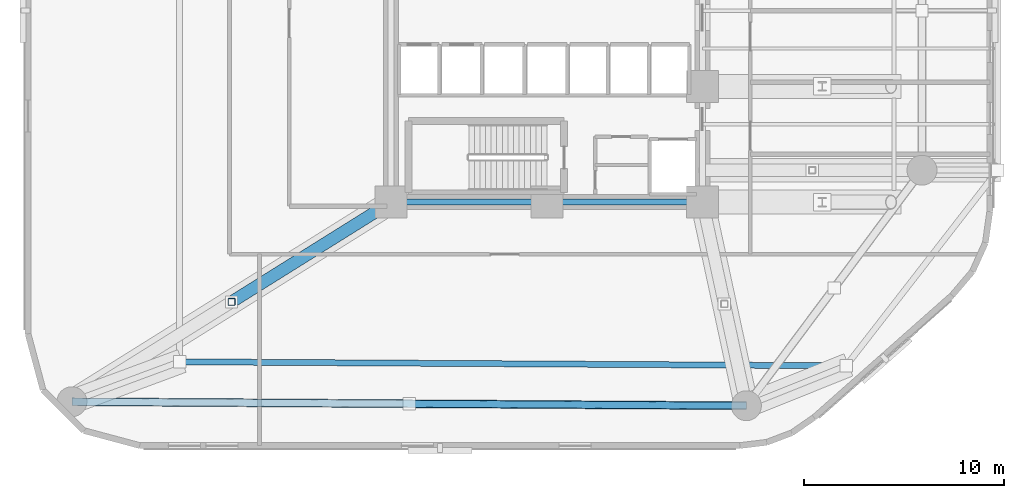
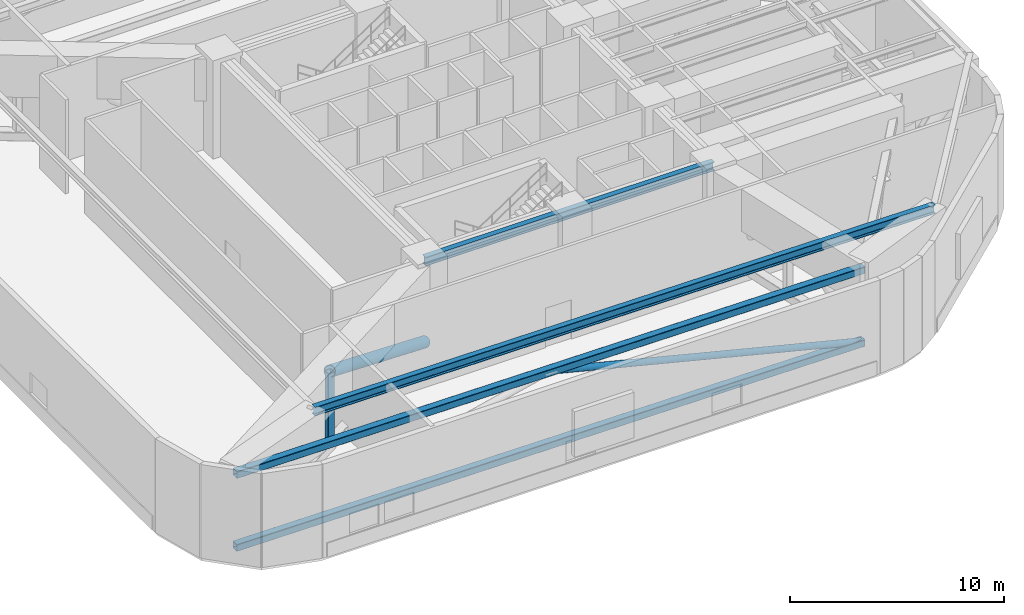
# One storey, part 2 of 11: 5 members, 2 beams.
"""IFC4 building model written with IfcOpenShell, lengths in metres."""

from ifc_helpers import new_model, si_unit, direction, frame, origin, origin_2d, place, context, subcontext, project, spatial, hollow_rectangle, hollow_circle, i_section, extrude, material, material_profile, profile_set, type_object, element, save


model = new_model("IFC4")

# Units and contexts
model_context = context("Model", 3, precision=1e-05, world=origin(), true_north=direction((0.0, 1.0)))
body_context = subcontext(model_context, "Body", "Model", "MODEL_VIEW")
ifc_project = project(units=[si_unit("LENGTHUNIT", "METRE"), si_unit("AREAUNIT", "SQUARE_METRE"), si_unit("VOLUMEUNIT", "CUBIC_METRE"), si_unit("PLANEANGLEUNIT", "RADIAN"), si_unit("MASSUNIT", "GRAM", prefix="KILO")], contexts=[model_context])

# Site, building, storey
site_placement = place(None, origin())
site = spatial("IfcSite", under=ifc_project, at=site_placement, CompositionType="ELEMENT")
building_placement = place(site_placement, origin())
building = spatial("IfcBuilding", under=site, at=building_placement, Name="An Khanh Terracotta Commons", CompositionType="ELEMENT")
storey_placement = place(building_placement, frame((0.0, 0.0, 75.60009765625)))
storey = spatial("IfcBuildingStorey", under=building, at=storey_placement, Name="L20", CompositionType="ELEMENT", Elevation=75.60009765625)

# Members
ifc_material_1 = material(Name="Steel S460ML", Category="steel")
ifc_material_profile_1 = material_profile(ifc_material_1, hollow_rectangle(XDim=0.39990234375, YDim=0.39990234375, WallThickness=0.02001953125, InnerFilletRadius=0.02001953125, OuterFilletRadius=0.0400390625, at=origin_2d()), Name="SHS400x400x20")
ifc_profile_set_1 = profile_set([ifc_material_profile_1], Name="Steel S460ML")
member_type_1 = type_object("IfcMemberType", Name="BELT-CHORD-SHS400", PredefinedType="CHORD", material=ifc_profile_set_1)
for number, where, z_axis, x_axis, name in (
    (1, (5.60009765625, 4.39990234375, 0.449951171875), (0.999982502414, -0.005915645817, 0.0), (0.005915645817, 0.999982502414, 0.0), "L20 Belt-Truss Bottom Chord 1"),
    (2, (5.60009765625, 4.39990234375, 4.60986328125), (0.999982502414, -0.005915645817, 0.0), (0.005915645817, 0.999982502414, 0.0), "L20 Belt-Truss Top Chord 1"),
):
    element("IfcMember", number, at=place(storey_placement, frame(where, z_axis=z_axis, x_axis=x_axis)), inside=storey, type_object=member_type_1, Name=name, PredefinedType="CHORD", context=body_context, shape_type="SweptSolid", body=[
        extrude(hollow_rectangle(XDim=0.39990234375, YDim=0.39990234375, WallThickness=0.02001953125, InnerFilletRadius=0.02001953125, OuterFilletRadius=0.0400390625, at=origin_2d()), origin(), (0.0, 0.0, 1.0), 33.80029296875),
    ])
ifc_material_profile_2 = material_profile(ifc_material_1, hollow_circle(Radius=0.177734375, WallThickness=0.01611328125, at=origin_2d()), Name="CHS355.6x16")
ifc_profile_set_2 = profile_set([ifc_material_profile_2], Name="Steel S460ML")
member_type_2 = type_object("IfcMemberType", Name="BELT-DIAG-CHS355", PredefinedType="BRACE", material=ifc_profile_set_2)
member_1_placement = place(storey_placement, frame((39.39990234375, 4.199951171875, 0.449951171875), z_axis=(-0.97099967145, 0.005751204318, 0.239011635056), x_axis=(-0.005922868574, -0.99998245966, 0.0)))
element("IfcMember", 3, at=member_1_placement, inside=storey, type_object=member_type_2, Name="L20 Belt-Truss Web Diagonal 1B", PredefinedType="BRACE", context=body_context, shape_type="SweptSolid", body=[
    extrude(hollow_circle(Radius=0.177734375, WallThickness=0.01611328125, at=origin_2d()), origin(), (0.0, 0.0, 1.0), 17.404541015625),
])
ifc_material_profile_3 = material_profile(ifc_material_1, hollow_rectangle(XDim=0.35009765625, YDim=0.35009765625, WallThickness=0.01611328125, InnerFilletRadius=0.01611328125, OuterFilletRadius=0.031982421875, at=origin_2d()), Name="SHS350x350x16")
ifc_profile_set_3 = profile_set([ifc_material_profile_3], Name="Steel S460ML")
member_type_3 = type_object("IfcMemberType", Name="BELT-STRUT-SHS350", PredefinedType="STRUT", material=ifc_profile_set_3)
member_2_placement = place(storey_placement, frame((13.60009765625, 9.39990234375, 0.449951171875), z_axis=(0.0, 0.0, 1.0), x_axis=(1.0, 0.0, 0.0)))
element("IfcMember", 4, at=member_2_placement, inside=storey, type_object=member_type_3, Name="L20 Outrigger Vertical Post 1", PredefinedType="STRUT", context=body_context, shape_type="SweptSolid", body=[
    extrude(hollow_rectangle(XDim=0.35009765625, YDim=0.35009765625, WallThickness=0.01611328125, InnerFilletRadius=0.01611328125, OuterFilletRadius=0.031982421875, at=origin_2d()), origin(), (0.0, 0.0, 1.0), 4.159912109375),
])

# Beams
ifc_material_2 = material(Name="Steel S355J2", Category="steel")
ifc_material_profile_4 = material_profile(ifc_material_2, i_section(OverallWidth=0.300048828125, OverallDepth=0.5, WebThickness=0.014404296875, FlangeThickness=0.028076171875, FilletRadius=0.027099609375, at=origin_2d()), Name="HEB500")
ifc_profile_set_4 = profile_set([ifc_material_profile_4], Name="Steel S355J2")
beam_type = type_object("IfcBeamType", Name="BM-HEB500", PredefinedType="BEAM", material=ifc_profile_set_4)
beam_1_placement = place(storey_placement, frame((21.60009765625, 14.39990234375, 5.10986328125), z_axis=(1.0, 0.0, 0.0), x_axis=(0.0, 1.0, 0.0)))
element("IfcBeam", 5, at=beam_1_placement, inside=storey, type_object=beam_type, Name="L20 Core South Coupling Girder", PredefinedType="BEAM", context=body_context, shape_type="SweptSolid", body=[
    extrude(i_section(OverallWidth=0.300048828125, OverallDepth=0.5, WebThickness=0.014404296875, FlangeThickness=0.028076171875, FilletRadius=0.027099609375, at=origin_2d()), origin(), (0.0, 0.0, 1.0), 15.599853515625),
])
beam_2_placement = place(storey_placement, frame((11.0, 6.39990234375, 5.10986328125), z_axis=(0.999982080914, -0.005986472262, 0.0), x_axis=(0.005986472262, 0.999982080914, 0.0)))
element("IfcBeam", 6, at=beam_2_placement, inside=storey, type_object=beam_type, Name="L20 Perimeter Ring Spandrel 1", PredefinedType="BEAM", context=body_context, shape_type="SweptSolid", body=[
    extrude(i_section(OverallWidth=0.300048828125, OverallDepth=0.5, WebThickness=0.014404296875, FlangeThickness=0.028076171875, FilletRadius=0.027099609375, at=origin_2d()), origin(), (0.0, 0.0, 1.0), 33.400390625),
])

# Member
ifc_material_profile_5 = material_profile(ifc_material_1, hollow_circle(Radius=0.304931640625, WallThickness=0.030029296875, at=origin_2d()), Name="CHS610x30")
ifc_profile_set_5 = profile_set([ifc_material_profile_5], Name="Steel S460ML")
member_type_4 = type_object("IfcMemberType", Name="OUTRIGGER-DIAG-CHS610", PredefinedType="BRACE", material=ifc_profile_set_5)
member_3_placement = place(storey_placement, frame((21.60009765625, 14.39990234375, 0.449951171875), z_axis=(-0.77591368047, -0.484946050294, 0.403466589402), x_axis=(0.529998940003, -0.847998304005, 0.0)))
element("IfcMember", 7, at=member_3_placement, inside=storey, type_object=member_type_4, Name="L20 Outrigger Tie Diagonal 1A", PredefinedType="BRACE", context=body_context, shape_type="SweptSolid", body=[
    extrude(hollow_circle(Radius=0.304931640625, WallThickness=0.030029296875, at=origin_2d()), origin(), (0.0, 0.0, 1.0), 10.310546875),
])

save(model, "model.ifc")
